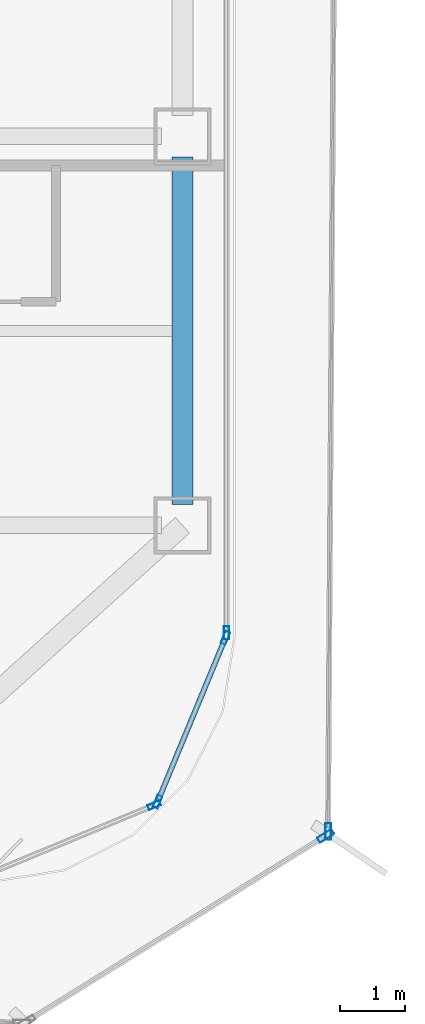
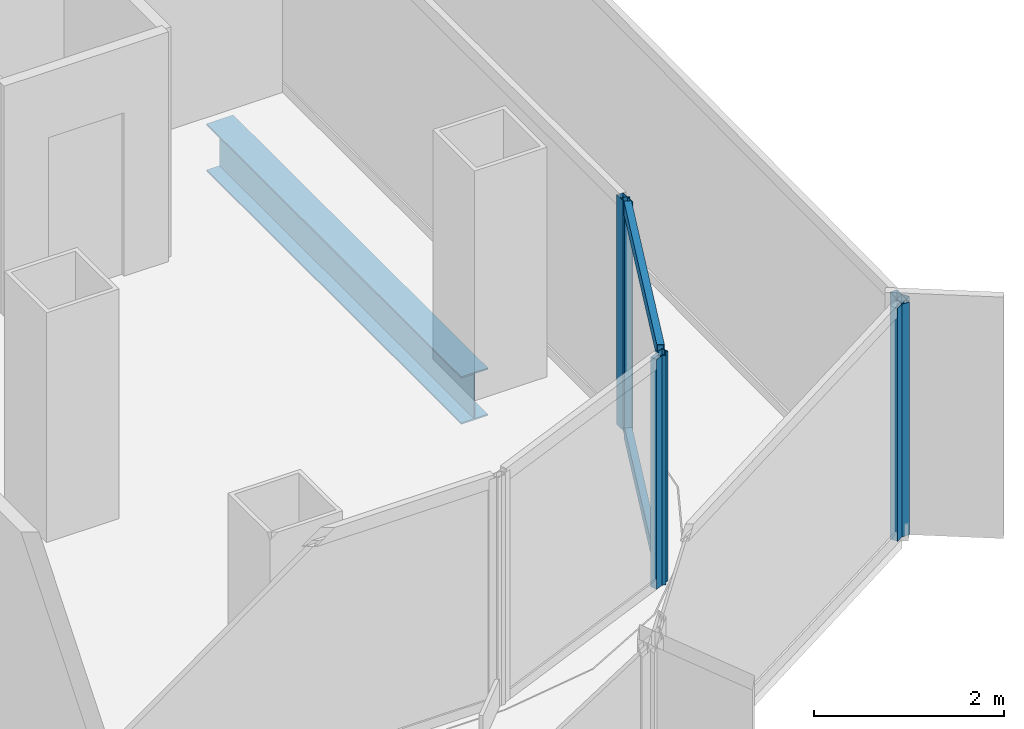
# One storey, part 8 of 21: 8 members, 1 beam, 5 elements without a shape of their own.
"""IFC4 building model written with IfcOpenShell, lengths in metres."""

from ifc_helpers import new_model, si_unit, direction, frame, origin, origin_2d, place, context, subcontext, project, spatial, hollow_rectangle, i_section, extrude, source, transform, mapped, material, layer, layer_set, material_profile, profile_set, type_object, element, aggregate, save


model = new_model("IFC4")

# Units and contexts
model_context = context("Model", 3, precision=1e-05, world=origin(), true_north=direction((0.0, 1.0)))
body_context = subcontext(model_context, "Body", "Model", "MODEL_VIEW")
ifc_project = project(units=[si_unit("LENGTHUNIT", "METRE"), si_unit("AREAUNIT", "SQUARE_METRE"), si_unit("VOLUMEUNIT", "CUBIC_METRE"), si_unit("PLANEANGLEUNIT", "RADIAN"), si_unit("MASSUNIT", "GRAM", prefix="KILO")], contexts=[model_context])

# Site, building, storey
site_placement = place(None, origin())
site = spatial("IfcSite", under=ifc_project, at=site_placement, CompositionType="ELEMENT")
building_placement = place(site_placement, origin())
building = spatial("IfcBuilding", under=site, at=building_placement, Name="Kolveth Station Tower", CompositionType="ELEMENT")
storey_placement = place(building_placement, frame((0.0, 0.0, 115.10009765625)))
storey = spatial("IfcBuildingStorey", under=building, at=storey_placement, Name="L31", CompositionType="ELEMENT", Elevation=115.10009765625)

# Beam
ifc_material_1 = material(Name="Steel S355", Category="steel")
ifc_material_profile_1 = material_profile(ifc_material_1, i_section(OverallWidth=0.323974609375, OverallDepth=0.611083984375, WebThickness=0.0126953125, FlangeThickness=0.01904296875, at=origin_2d()), Name="W610x155")
ifc_profile_set_1 = profile_set([ifc_material_profile_1], Name="Steel S355")
beam_type = type_object("IfcBeamType", Name="Beam_SP2", PredefinedType="SPANDREL", material=ifc_profile_set_1)
shared_shape_1 = source(origin(), body_context, "Body", "SweptSolid", [
    extrude(i_section(OverallWidth=0.323974609375, OverallDepth=0.611083984375, WebThickness=0.0126953125, FlangeThickness=0.01904296875, at=origin_2d()), origin(), (0.0, 0.0, 1.0), 5.35986328125),
])
beam_placement = place(storey_placement, frame((46.199951171875, 5.820068359375, -0.5556640625), z_axis=(0.0, 1.0, 0.0), x_axis=(-1.0, 0.0, 0.0)))
element("IfcBeam", 1, at=beam_placement, inside=storey, type_object=beam_type, Name="L31 Perimeter Spandrel BM-L31-PE-1", PredefinedType="SPANDREL", context=body_context, shape_type="MappedRepresentation", body=[
    mapped(shared_shape_1, transform((0.0, 0.0, 0.0), x_axis=(1.0, 0.0, 0.0), y_axis=(0.0, 1.0, 0.0), z_axis=(0.0, 0.0, 1.0), scale=1.0)),
])

# Curtain wall, member
ifc_material_2 = material(Name="Aluminium 6063-T6 and low-E dark glass", Category="aluminium")
ifc_layer_1 = layer(ifc_material_2, 0.18994140625)
ifc_layer_set_1 = layer_set([ifc_layer_1], Name="Aluminium 6063-T6 and low-E dark glass")
curtain_wall_type_1 = type_object("IfcCurtainWallType", Name="CurtainWall_CW-Z2", PredefinedType="NOTDEFINED", material=ifc_layer_set_1)
curtain_wall_1_placement = place(storey_placement, origin())
curtain_wall_1 = element("IfcCurtainWall", 2, at=curtain_wall_1_placement, inside=storey, type_object=curtain_wall_type_1, Name="L31 Inner Thermal Curtain Wall 1", PredefinedType="NOTDEFINED")
ifc_material_3 = material(Name="Black anodized aluminium 6063-T6", Category="aluminium")
ifc_material_profile_2 = material_profile(ifc_material_3, hollow_rectangle(XDim=0.080078125, YDim=0.199951171875, WallThickness=0.0048828125, at=origin_2d()), Name="ALU-80x200x5")
ifc_profile_set_2 = profile_set([ifc_material_profile_2], Name="Black anodized aluminium 6063-T6")
member_type_1 = type_object("IfcMemberType", Name="Mullion_ML2", PredefinedType="MULLION", material=ifc_profile_set_2)
shared_shape_2 = source(origin(), body_context, "Body", "SweptSolid", [
    extrude(hollow_rectangle(XDim=0.080078125, YDim=0.199951171875, WallThickness=0.0048828125, at=origin_2d()), origin(), (0.0, 0.0, 1.0), 2.949951171875),
])
member_1_placement = place(storey_placement, frame((45.76513671875, 1.182373046875, 0.0), z_axis=(0.0, 0.0, 1.0), x_axis=(-0.38266326998, 0.923887883787, 0.0)))
member_1 = element("IfcMember", 3, at=member_1_placement, type_object=member_type_1, Name="CW-Z2 mullion 2", PredefinedType="MULLION", context=body_context, shape_type="MappedRepresentation", body=[
    mapped(shared_shape_2, transform((0.0, 0.0, 0.0), x_axis=(1.0, 0.0, 0.0), y_axis=(0.0, 1.0, 0.0), z_axis=(0.0, 0.0, 1.0), scale=1.0)),
])
aggregate(curtain_wall_1, [member_1])

# Curtain wall, members
curtain_wall_2_placement = place(storey_placement, origin())
curtain_wall_2 = element("IfcCurtainWall", 4, at=curtain_wall_2_placement, inside=storey, type_object=curtain_wall_type_1, Name="L31 Inner Thermal Curtain Wall 2", PredefinedType="NOTDEFINED")
member_2_placement = place(storey_placement, frame((45.817626953125, 1.23486328125, 0.0), z_axis=(0.0, 0.0, 1.0), x_axis=(-0.923887883787, 0.38266326998, 0.0)))
member_2 = element("IfcMember", 5, at=member_2_placement, type_object=member_type_1, Name="CW-Z2 mullion 1", PredefinedType="MULLION", context=body_context, shape_type="MappedRepresentation", body=[
    mapped(shared_shape_2, transform((0.0, 0.0, 0.0), x_axis=(1.0, 0.0, 0.0), y_axis=(0.0, 1.0, 0.0), z_axis=(0.0, 0.0, 1.0), scale=1.0)),
])
member_3_placement = place(storey_placement, frame((46.86474609375, 3.762939453125, 0.0), z_axis=(0.0, 0.0, 1.0), x_axis=(-0.923887883787, 0.38266326998, 0.0)))
member_3 = element("IfcMember", 6, at=member_3_placement, type_object=member_type_1, Name="CW-Z2 mullion 2", PredefinedType="MULLION", context=body_context, shape_type="MappedRepresentation", body=[
    mapped(shared_shape_2, transform((0.0, 0.0, 0.0), x_axis=(1.0, 0.0, 0.0), y_axis=(0.0, 1.0, 0.0), z_axis=(0.0, 0.0, 1.0), scale=1.0)),
])

# Curtain wall, member
curtain_wall_3_placement = place(storey_placement, origin())
curtain_wall_3 = element("IfcCurtainWall", 7, at=curtain_wall_3_placement, inside=storey, type_object=curtain_wall_type_1, Name="L31 Inner Thermal Curtain Wall 3", PredefinedType="NOTDEFINED")
member_4_placement = place(storey_placement, frame((46.8798828125, 3.840087890625, 0.0), z_axis=(0.0, 0.0, 1.0), x_axis=(-1.0, 0.0, 0.0)))
member_4 = element("IfcMember", 8, at=member_4_placement, type_object=member_type_1, Name="CW-Z2 mullion 1", PredefinedType="MULLION", context=body_context, shape_type="MappedRepresentation", body=[
    mapped(shared_shape_2, transform((0.0, 0.0, 0.0), x_axis=(1.0, 0.0, 0.0), y_axis=(0.0, 1.0, 0.0), z_axis=(0.0, 0.0, 1.0), scale=1.0)),
])
aggregate(curtain_wall_3, [member_4])

# Member
ifc_material_profile_3 = material_profile(ifc_material_3, hollow_rectangle(XDim=0.080078125, YDim=0.169921875, WallThickness=0.0048828125, at=origin_2d()), Name="ALU-80x170x5")
ifc_profile_set_3 = profile_set([ifc_material_profile_3], Name="Black anodized aluminium 6063-T6")
member_type_2 = type_object("IfcMemberType", Name="Transom_TR2", PredefinedType="USERDEFINED", material=ifc_profile_set_3)
shared_shape_3 = source(origin(), body_context, "Body", "SweptSolid", [
    extrude(hollow_rectangle(XDim=0.080078125, YDim=0.169921875, WallThickness=0.0048828125, at=origin_2d()), origin(), (0.0, 0.0, 1.0), 2.656494140625),
])
member_5_placement = place(storey_placement, frame((45.832763671875, 1.271728515625, 0.039794921875), z_axis=(0.382676455475, 0.923882422403, 0.0), x_axis=(-0.923882422403, 0.382676455475, 0.0)))
member_5 = element("IfcMember", 9, at=member_5_placement, type_object=member_type_2, Name="CW-Z2 transom 1.1", ObjectType="TRANSOM", PredefinedType="USERDEFINED", context=body_context, shape_type="MappedRepresentation", body=[
    mapped(shared_shape_3, transform((0.0, 0.0, 0.0), x_axis=(1.0, 0.0, 0.0), y_axis=(0.0, 1.0, 0.0), z_axis=(0.0, 0.0, 1.0), scale=1.0)),
])

member_6_placement = place(storey_placement, frame((45.832763671875, 1.271728515625, 2.909912109375), z_axis=(0.382676455475, 0.923882422403, 0.0), x_axis=(-0.923882422403, 0.382676455475, 0.0)))
member_6 = element("IfcMember", 10, at=member_6_placement, type_object=member_type_2, Name="CW-Z2 transom 1.2", ObjectType="TRANSOM", PredefinedType="USERDEFINED", context=body_context, shape_type="MappedRepresentation", body=[
    mapped(shared_shape_3, transform((0.0, 0.0, 0.0), x_axis=(1.0, 0.0, 0.0), y_axis=(0.0, 1.0, 0.0), z_axis=(0.0, 0.0, 1.0), scale=1.0)),
])

aggregate(curtain_wall_2, [member_2, member_3, member_5, member_6])

# Curtain wall, member
ifc_material_4 = material(Name="Black anodized aluminium 6063-T6 and dark solar glass", Category="aluminium")
ifc_layer_2 = layer(ifc_material_4, 0.159912109375)
ifc_layer_set_2 = layer_set([ifc_layer_2], Name="Black anodized aluminium 6063-T6 and dark solar glass")
curtain_wall_type_2 = type_object("IfcCurtainWallType", Name="OUTER SKIN CW-OS", PredefinedType="NOTDEFINED", material=ifc_layer_set_2)
curtain_wall_4_placement = place(storey_placement, origin())
curtain_wall_4 = element("IfcCurtainWall", 11, at=curtain_wall_4_placement, inside=storey, type_object=curtain_wall_type_2, Name="L31 Outer Ventilated Skin Curtain Wall 1", PredefinedType="NOTDEFINED")
ifc_material_profile_4 = material_profile(ifc_material_3, hollow_rectangle(XDim=0.090087890625, YDim=0.260009765625, WallThickness=0.0048828125, at=origin_2d()), Name="ALU-90x260x5")
ifc_profile_set_4 = profile_set([ifc_material_profile_4], Name="Black anodized aluminium 6063-T6")
member_type_3 = type_object("IfcMemberType", Name="FIN MULLION ML-OS", PredefinedType="MULLION", material=ifc_profile_set_4)
shared_shape_4 = source(origin(), body_context, "Body", "SweptSolid", [
    extrude(hollow_rectangle(XDim=0.090087890625, YDim=0.260009765625, WallThickness=0.0048828125, at=origin_2d()), origin(), (0.0, 0.0, 1.0), 2.989990234375),
])
member_7_placement = place(storey_placement, frame((48.4111328125, 0.707763671875, 0.0), z_axis=(0.0, 0.0, 1.0), x_axis=(-0.527753404684, 0.849397635884, 0.0)))
member_7 = element("IfcMember", 12, at=member_7_placement, type_object=member_type_3, Name="CW-OS mullion 2", PredefinedType="MULLION", context=body_context, shape_type="MappedRepresentation", body=[
    mapped(shared_shape_4, transform((0.0, 0.0, 0.0), x_axis=(1.0, 0.0, 0.0), y_axis=(0.0, 1.0, 0.0), z_axis=(0.0, 0.0, 1.0), scale=1.0)),
])
aggregate(curtain_wall_4, [member_7])

curtain_wall_5_placement = place(storey_placement, origin())
curtain_wall_5 = element("IfcCurtainWall", 13, at=curtain_wall_5_placement, inside=storey, type_object=curtain_wall_type_2, Name="L31 Outer Ventilated Skin Curtain Wall 2", PredefinedType="NOTDEFINED")
member_8_placement = place(storey_placement, frame((48.44970703125, 0.776611328125, 0.0), z_axis=(0.0, 0.0, 1.0), x_axis=(-0.999976917511, 0.006794442156, 0.0)))
member_8 = element("IfcMember", 14, at=member_8_placement, type_object=member_type_3, Name="CW-OS mullion 1", PredefinedType="MULLION", context=body_context, shape_type="MappedRepresentation", body=[
    mapped(shared_shape_4, transform((0.0, 0.0, 0.0), x_axis=(1.0, 0.0, 0.0), y_axis=(0.0, 1.0, 0.0), z_axis=(0.0, 0.0, 1.0), scale=1.0)),
])
aggregate(curtain_wall_5, [member_8])

save(model, "model.ifc")
